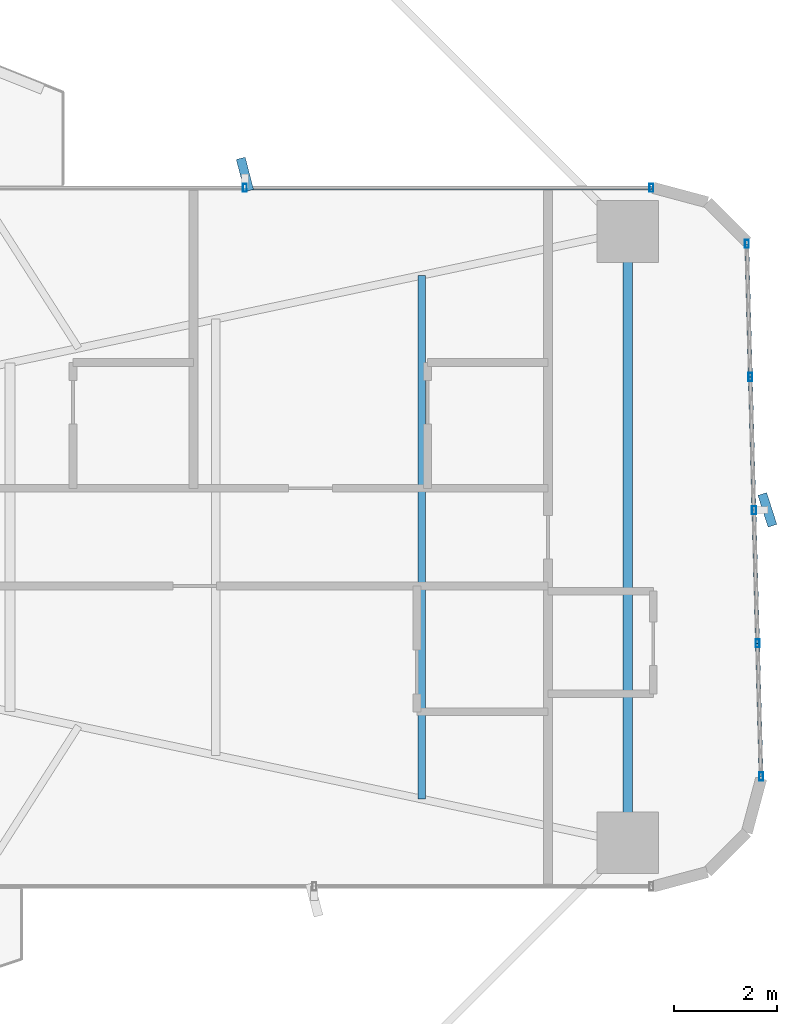
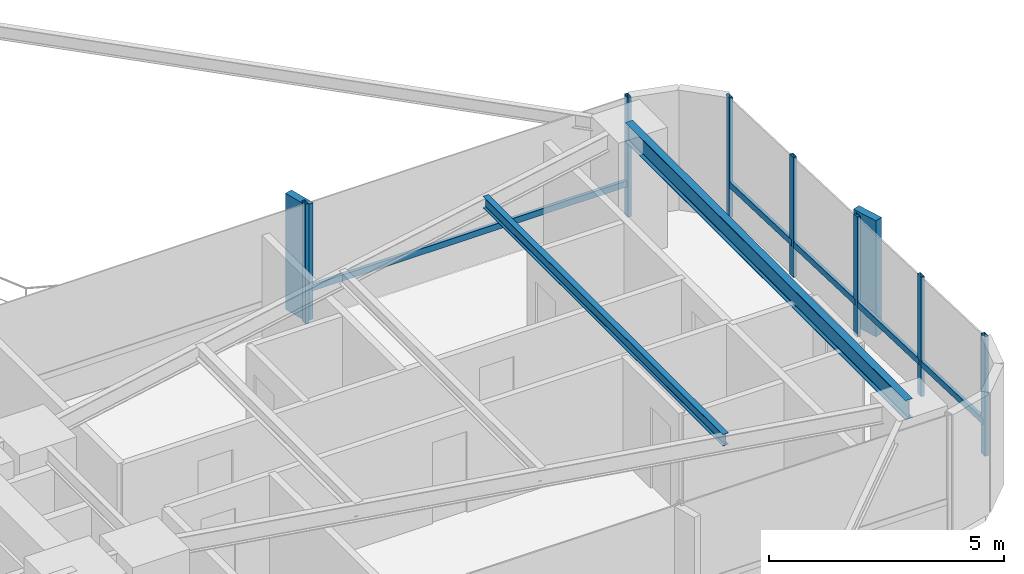
# One storey, part 16 of 25: 14 members, 2 beams, 2 elements without a shape of their own.
"""IFC4 building model written with IfcOpenShell, lengths in metres."""

from ifc_helpers import new_model, si_unit, direction, frame, origin, origin_2d, place, context, subcontext, project, spatial, rectangle, hollow_rectangle, i_section, extrude, source, transform, mapped, material, material_profile, profile_set, type_object, element, aggregate, save


model = new_model("IFC4")

# Units and contexts
model_context = context("Model", 3, precision=1e-05, world=origin(), true_north=direction((0.0, 1.0)))
body_context = subcontext(model_context, "Body", "Model", "MODEL_VIEW")
ifc_project = project(units=[si_unit("LENGTHUNIT", "METRE"), si_unit("AREAUNIT", "SQUARE_METRE"), si_unit("VOLUMEUNIT", "CUBIC_METRE"), si_unit("PLANEANGLEUNIT", "RADIAN"), si_unit("MASSUNIT", "GRAM", prefix="KILO")], contexts=[model_context])

# Site, building, storey
site_placement = place(None, origin())
site = spatial("IfcSite", under=ifc_project, at=site_placement, CompositionType="ELEMENT")
building_placement = place(site_placement, origin())
building = spatial("IfcBuilding", under=site, at=building_placement, Name="Sahyath Konkavel Grand Hotel", CompositionType="ELEMENT")
storey_placement = place(building_placement, frame((0.0, 0.0, 57.75)))
storey = spatial("IfcBuildingStorey", under=building, at=storey_placement, Name="L15", CompositionType="ELEMENT", Elevation=57.75)

# Beams
ifc_material_1 = material(Name="Steel E350", Category="steel")
ifc_material_profile_1 = material_profile(ifc_material_1, i_section(OverallWidth=0.179931640625, OverallDepth=0.5, WebThickness=0.01025390625, FlangeThickness=0.01708984375, FilletRadius=0.01708984375, at=origin_2d()), Name="ISMB 500")
ifc_profile_set_1 = profile_set([ifc_material_profile_1], Name="Steel E350")
beam_type_1 = type_object("IfcBeamType", Name="BM-ISMB500", PredefinedType="BEAM", material=ifc_profile_set_1)
shared_shape_1 = source(origin(), body_context, "Body", "SweptSolid", [
    extrude(i_section(OverallWidth=0.179931640625, OverallDepth=0.5, WebThickness=0.01025390625, FlangeThickness=0.01708984375, FilletRadius=0.01708984375, at=origin_2d()), origin(), (0.0, 0.0, 1.0), 11.89990234375),
])
beam_1_placement = place(storey_placement, frame((22.199951171875, -5.949951171875, 2.860107421875), z_axis=(0.0, 1.0, 0.0), x_axis=(-1.0, 0.0, 0.0)))
element("IfcBeam", 1, at=beam_1_placement, inside=storey, type_object=beam_type_1, Name="L15 Wing Tip Edge Beam E", PredefinedType="BEAM", context=body_context, shape_type="MappedRepresentation", body=[
    mapped(shared_shape_1, transform((0.0, 0.0, 0.0), scale=1.0)),
])
ifc_material_profile_2 = material_profile(ifc_material_1, i_section(OverallWidth=0.139892578125, OverallDepth=0.300048828125, WebThickness=0.0078125, FlangeThickness=0.01318359375, FilletRadius=0.013916015625, at=origin_2d()), Name="ISMB 300")
ifc_profile_set_2 = profile_set([ifc_material_profile_2], Name="Steel E350")
beam_type_2 = type_object("IfcBeamType", Name="BM-ISMB300", PredefinedType="BEAM", material=ifc_profile_set_2)
shared_shape_2 = source(origin(), body_context, "Body", "SweptSolid", [
    extrude(i_section(OverallWidth=0.139892578125, OverallDepth=0.300048828125, WebThickness=0.0078125, FlangeThickness=0.01318359375, FilletRadius=0.013916015625, at=origin_2d()), origin(), (0.0, 0.0, 1.0), 10.19580078125),
])
beam_2_placement = place(storey_placement, frame((18.19189453125, -5.097900390625, 2.9599609375), z_axis=(0.0, 1.0, 0.0), x_axis=(-1.0, 0.0, 0.0)))
element("IfcBeam", 2, at=beam_2_placement, inside=storey, type_object=beam_type_2, Name="L15 Secondary Floor Beam E-3", PredefinedType="BEAM", context=body_context, shape_type="MappedRepresentation", body=[
    mapped(shared_shape_2, transform((0.0, 0.0, 0.0), scale=1.0)),
])

# Curtain wall, member
ifc_material_2 = material(Name="Anodised Bronze Aluminium & Low-E Glazing", Category="aluminium")
curtain_wall_type = type_object("IfcCurtainWallType", Name="CW-ZONE1", PredefinedType="NOTDEFINED", material=ifc_material_2)
curtain_wall_1_placement = place(storey_placement, origin())
curtain_wall_1 = element("IfcCurtainWall", 3, at=curtain_wall_1_placement, inside=storey, type_object=curtain_wall_type, Name="L15 Unitised Curtain Wall F4", PredefinedType="NOTDEFINED")
ifc_material_3 = material(Name="Warm Buff Sandstone Cladding on Concrete C50/60", Category="masonry")
ifc_material_profile_3 = material_profile(ifc_material_3, rectangle(XDim=0.179931640625, YDim=0.64990234375, at=origin_2d()), Name="FIN 180x650")
ifc_profile_set_3 = profile_set([ifc_material_profile_3], Name="Warm Buff Sandstone Cladding on Concrete C50/60")
member_type_1 = type_object("IfcMemberType", Name="FIN-SANDSTONE-650", PredefinedType="MULLION", material=ifc_profile_set_3)
shared_shape_3 = source(origin(), body_context, "Body", "SweptSolid", [
    extrude(rectangle(XDim=0.179931640625, YDim=0.64990234375, at=origin_2d()), origin(), (0.0, 0.0, 1.0), 3.010009765625),
])
member_1_placement = place(storey_placement, frame((24.919189453125, 0.531982421875, 0.050048828125), z_axis=(0.0, 0.0, 1.0), x_axis=(0.952236042525, 0.30536293049, 0.0)))
member_1 = element("IfcMember", 4, at=member_1_placement, type_object=member_type_1, Name="L15 Sandstone Vertical Solar Fin FIN F4-2", PredefinedType="MULLION", context=body_context, shape_type="MappedRepresentation", body=[
    mapped(shared_shape_3, transform((0.0, 0.0, 0.0), scale=1.0)),
])

# Curtain wall, members
curtain_wall_2_placement = place(storey_placement, origin())
curtain_wall_2 = element("IfcCurtainWall", 5, at=curtain_wall_2_placement, inside=storey, type_object=curtain_wall_type, Name="L15 Unitised Curtain Wall F7", PredefinedType="NOTDEFINED")
member_2_placement = place(storey_placement, frame((14.75, 7.06005859375, 0.050048828125), z_axis=(0.0, 0.0, 1.0), x_axis=(0.967884912253, 0.251393708421, 0.0)))
member_2 = element("IfcMember", 6, at=member_2_placement, type_object=member_type_1, Name="L15 Sandstone Vertical Solar Fin FIN F7-1", PredefinedType="MULLION", context=body_context, shape_type="MappedRepresentation", body=[
    mapped(shared_shape_3, transform((0.0, 0.0, 0.0), scale=1.0)),
])
ifc_material_4 = material(Name="Anodised Bronze Aluminium", Category="aluminium")
ifc_material_profile_4 = material_profile(ifc_material_4, hollow_rectangle(XDim=0.080078125, YDim=0.159912109375, WallThickness=0.006103515625, at=origin_2d()), Name="RHS 160x80x6")
ifc_profile_set_4 = profile_set([ifc_material_profile_4], Name="Anodised Bronze Aluminium")
member_type_2 = type_object("IfcMemberType", Name="CW-TRN-160", PredefinedType="USERDEFINED", material=ifc_profile_set_4)
shared_shape_4 = source(origin(), body_context, "Body", "SweptSolid", [
    extrude(hollow_rectangle(XDim=0.080078125, YDim=0.159912109375, WallThickness=0.006103515625, at=origin_2d()), origin(), (0.0, 0.0, 1.0), 7.909912109375),
])
member_3_placement = place(storey_placement, frame((22.659912109375, 6.800048828125, 0.85009765625), z_axis=(-1.0, 0.0, 0.0), x_axis=(0.0, -1.0, 0.0)))
member_3 = element("IfcMember", 7, at=member_3_placement, type_object=member_type_2, Name="L15 Curtain Wall Transom F7-0-spandrel", ObjectType="TRANSOM", PredefinedType="USERDEFINED", context=body_context, shape_type="MappedRepresentation", body=[
    mapped(shared_shape_4, transform((0.0, 0.0, 0.0), scale=1.0)),
])

# Member
shared_shape_5 = source(origin(), body_context, "Body", "SweptSolid", [
    extrude(hollow_rectangle(XDim=0.080078125, YDim=0.159912109375, WallThickness=0.006103515625, at=origin_2d()), origin(), (0.0, 0.0, 1.0), 2.593505859375),
])
member_4_placement = place(storey_placement, frame((24.798828125, -4.659912109375, 0.85009765625), z_axis=(-0.026923093252, 0.999637507825, 0.0), x_axis=(-0.999637507825, -0.026923093252, 0.0)))
member_4 = element("IfcMember", 8, at=member_4_placement, type_object=member_type_2, Name="L15 Curtain Wall Transom F4-0-spandrel", ObjectType="TRANSOM", PredefinedType="USERDEFINED", context=body_context, shape_type="MappedRepresentation", body=[
    mapped(shared_shape_5, transform((0.0, 0.0, 0.0), scale=1.0)),
])

member_5_placement = place(storey_placement, frame((24.6591796875, 0.52490234375, 0.85009765625), z_axis=(-0.02682902444, 0.999640036937, 0.0), x_axis=(-0.999640036937, -0.02682902444, 0.0)))
member_5 = element("IfcMember", 9, at=member_5_placement, type_object=member_type_2, Name="L15 Curtain Wall Transom F4-2-spandrel", ObjectType="TRANSOM", PredefinedType="USERDEFINED", context=body_context, shape_type="MappedRepresentation", body=[
    mapped(shared_shape_5, transform((0.0, 0.0, 0.0), scale=1.0)),
])

member_6_placement = place(storey_placement, frame((24.589599609375, 3.117431640625, 0.85009765625), z_axis=(-0.026923093252, 0.999637507825, 0.0), x_axis=(-0.999637507825, -0.026923093252, 0.0)))
member_6 = element("IfcMember", 10, at=member_6_placement, type_object=member_type_2, Name="L15 Curtain Wall Transom F4-3-spandrel", ObjectType="TRANSOM", PredefinedType="USERDEFINED", context=body_context, shape_type="MappedRepresentation", body=[
    mapped(shared_shape_5, transform((0.0, 0.0, 0.0), scale=1.0)),
])

shared_shape_6 = source(origin(), body_context, "Body", "SweptSolid", [
    extrude(hollow_rectangle(XDim=0.080078125, YDim=0.159912109375, WallThickness=0.006103515625, at=origin_2d()), origin(), (0.0, 0.0, 1.0), 2.59326171875),
])
member_7_placement = place(storey_placement, frame((24.72900390625, -2.0673828125, 0.85009765625), z_axis=(-0.026925627022, 0.99963743958, 0.0), x_axis=(-0.99963743958, -0.026925627022, 0.0)))
member_7 = element("IfcMember", 11, at=member_7_placement, type_object=member_type_2, Name="L15 Curtain Wall Transom F4-1-spandrel", ObjectType="TRANSOM", PredefinedType="USERDEFINED", context=body_context, shape_type="MappedRepresentation", body=[
    mapped(shared_shape_6, transform((0.0, 0.0, 0.0), scale=1.0)),
])

ifc_material_profile_5 = material_profile(ifc_material_4, hollow_rectangle(XDim=0.080078125, YDim=0.159912109375, WallThickness=0.006103515625, at=origin_2d()), Name="RHS 160x80x6")
ifc_profile_set_5 = profile_set([ifc_material_profile_5], Name="Anodised Bronze Aluminium")
member_type_3 = type_object("IfcMemberType", Name="CW-MUL-160", PredefinedType="MULLION", material=ifc_profile_set_5)
shared_shape_7 = source(origin(), body_context, "Body", "SweptSolid", [
    extrude(hollow_rectangle(XDim=0.080078125, YDim=0.159912109375, WallThickness=0.006103515625, at=origin_2d()), origin(), (0.0, 0.0, 1.0), 3.110107421875),
])
member_8_placement = place(storey_placement, frame((24.798828125, -4.659912109375, 0.0), z_axis=(0.0, 0.0, 1.0), x_axis=(1.0, 0.0, 0.0)))
member_8 = element("IfcMember", 12, at=member_8_placement, type_object=member_type_3, Name="L15 Curtain Wall Mullion F4-0", PredefinedType="MULLION", context=body_context, shape_type="MappedRepresentation", body=[
    mapped(shared_shape_7, transform((0.0, 0.0, 0.0), scale=1.0)),
])

member_9_placement = place(storey_placement, frame((24.72900390625, -2.0673828125, 0.0), z_axis=(0.0, 0.0, 1.0), x_axis=(1.0, 0.0, 0.0)))
member_9 = element("IfcMember", 13, at=member_9_placement, type_object=member_type_3, Name="L15 Curtain Wall Mullion F4-1", PredefinedType="MULLION", context=body_context, shape_type="MappedRepresentation", body=[
    mapped(shared_shape_7, transform((0.0, 0.0, 0.0), scale=1.0)),
])

member_10_placement = place(storey_placement, frame((24.6591796875, 0.52490234375, 0.0), z_axis=(0.0, 0.0, 1.0), x_axis=(1.0, 0.0, 0.0)))
member_10 = element("IfcMember", 14, at=member_10_placement, type_object=member_type_3, Name="L15 Curtain Wall Mullion F4-2", PredefinedType="MULLION", context=body_context, shape_type="MappedRepresentation", body=[
    mapped(shared_shape_7, transform((0.0, 0.0, 0.0), scale=1.0)),
])

member_11_placement = place(storey_placement, frame((24.589599609375, 3.117431640625, 0.0), z_axis=(0.0, 0.0, 1.0), x_axis=(1.0, 0.0, 0.0)))
member_11 = element("IfcMember", 15, at=member_11_placement, type_object=member_type_3, Name="L15 Curtain Wall Mullion F4-3", PredefinedType="MULLION", context=body_context, shape_type="MappedRepresentation", body=[
    mapped(shared_shape_7, transform((0.0, 0.0, 0.0), scale=1.0)),
])

member_12_placement = place(storey_placement, frame((24.519775390625, 5.7099609375, 0.0), z_axis=(0.0, 0.0, 1.0), x_axis=(1.0, 0.0, 0.0)))
member_12 = element("IfcMember", 16, at=member_12_placement, type_object=member_type_3, Name="L15 Curtain Wall Mullion F4-4", PredefinedType="MULLION", context=body_context, shape_type="MappedRepresentation", body=[
    mapped(shared_shape_7, transform((0.0, 0.0, 0.0), scale=1.0)),
])

aggregate(curtain_wall_1, [member_8, member_9, member_10, member_1, member_11, member_12, member_4, member_7, member_5, member_6])

member_13_placement = place(storey_placement, frame((22.659912109375, 6.800048828125, 0.0), z_axis=(0.0, 0.0, 1.0), x_axis=(1.0, 0.0, 0.0)))
member_13 = element("IfcMember", 17, at=member_13_placement, type_object=member_type_3, Name="L15 Curtain Wall Mullion F7-0", PredefinedType="MULLION", context=body_context, shape_type="MappedRepresentation", body=[
    mapped(shared_shape_7, transform((0.0, 0.0, 0.0), scale=1.0)),
])

member_14_placement = place(storey_placement, frame((14.75, 6.800048828125, 0.0), z_axis=(0.0, 0.0, 1.0), x_axis=(1.0, 0.0, 0.0)))
member_14 = element("IfcMember", 18, at=member_14_placement, type_object=member_type_3, Name="L15 Curtain Wall Mullion F7-1", PredefinedType="MULLION", context=body_context, shape_type="MappedRepresentation", body=[
    mapped(shared_shape_7, transform((0.0, 0.0, 0.0), scale=1.0)),
])

aggregate(curtain_wall_2, [member_13, member_14, member_2, member_3])

save(model, "model.ifc")
